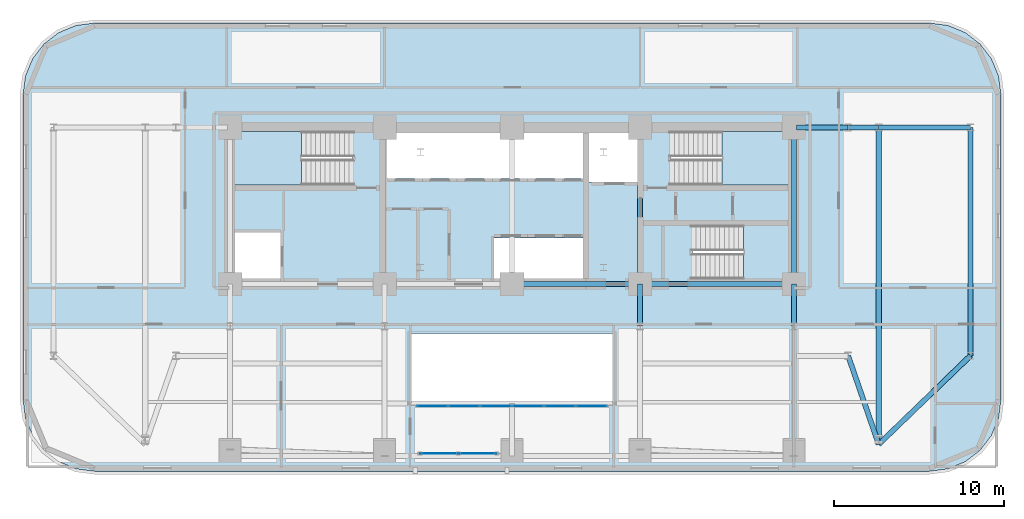
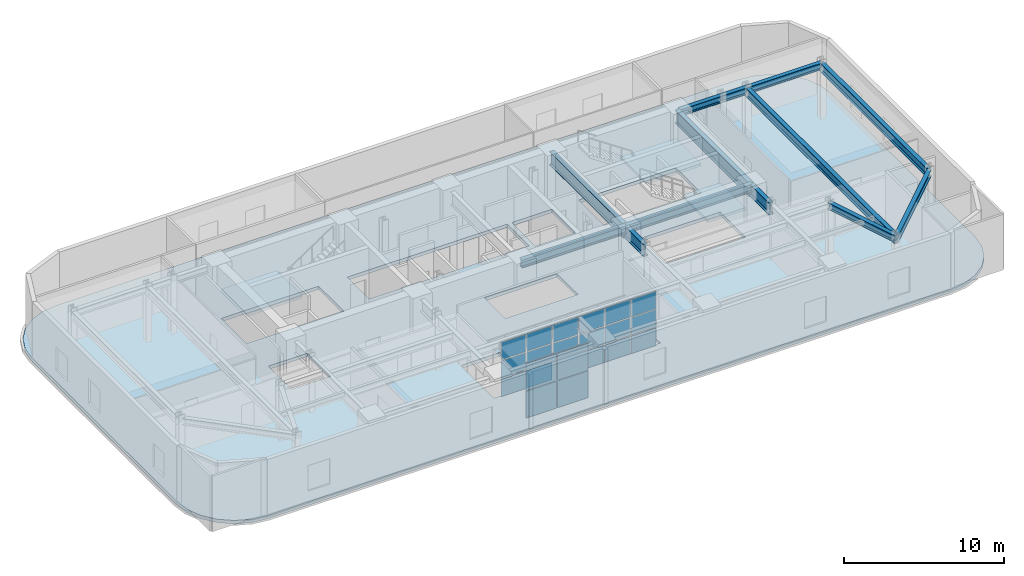
# One storey, part 6 of 14: 22 plates, 13 beams, 4 slabs, 5 elements without a shape of their own.
"""IFC4 building model written with IfcOpenShell, lengths in metres."""

from ifc_helpers import new_model, si_unit, direction, frame, origin, origin_2d, place, context, subcontext, project, spatial, polyline, rectangle, i_section, outline, extrude, material, layer, layer_set, material_profile, profile_set, type_object, element, aggregate, save


model = new_model("IFC4")

# Units and contexts
model_context = context("Model", 3, precision=1e-05, world=origin(), true_north=direction((0.0, 1.0)))
body_context = subcontext(model_context, "Body", "Model", "MODEL_VIEW")
ifc_project = project(units=[si_unit("LENGTHUNIT", "METRE"), si_unit("AREAUNIT", "SQUARE_METRE"), si_unit("VOLUMEUNIT", "CUBIC_METRE"), si_unit("PLANEANGLEUNIT", "RADIAN"), si_unit("MASSUNIT", "GRAM", prefix="KILO")], contexts=[model_context])

# Site, building, storey
site_placement = place(None, origin())
site = spatial("IfcSite", under=ifc_project, at=site_placement, CompositionType="ELEMENT")
building_placement = place(site_placement, origin())
building = spatial("IfcBuilding", under=site, at=building_placement, Name="Zarnavel Station Tower", CompositionType="ELEMENT")
storey_placement = place(building_placement, frame((0.0, 0.0, 89.800048828125)))
storey = spatial("IfcBuildingStorey", under=building, at=storey_placement, Name="L24", CompositionType="ELEMENT", Elevation=89.800048828125)

# Beams
ifc_material_1 = material(Name="Steel S355J2", Category="steel")
ifc_material_profile_1 = material_profile(ifc_material_1, i_section(OverallWidth=0.300048828125, OverallDepth=0.5, WebThickness=0.014404296875, FlangeThickness=0.028076171875, FilletRadius=0.027099609375, at=origin_2d()), Name="HEB500")
ifc_profile_set_1 = profile_set([ifc_material_profile_1], Name="Steel S355J2")
beam_type_1 = type_object("IfcBeamType", Name="FG_HEB500", PredefinedType="USERDEFINED", material=ifc_profile_set_1)
beam_1_placement = place(storey_placement, frame((45.544921875, 37.050048828125, 3.989990234375), z_axis=(1.0, 0.0, 0.0), x_axis=(0.0, 1.0, 0.0)))
element("IfcBeam", 1, at=beam_1_placement, inside=storey, type_object=beam_type_1, Name="L24 East Wing North Tie 1", ObjectType="GIRDER", PredefinedType="USERDEFINED", context=body_context, shape_type="SweptSolid", body=[
    extrude(i_section(OverallWidth=0.300048828125, OverallDepth=0.5, WebThickness=0.014404296875, FlangeThickness=0.028076171875, FilletRadius=0.027099609375, at=origin_2d()), origin(), (0.0, 0.0, 1.0), 3.05517578125),
])
beam_2_placement = place(storey_placement, frame((48.60009765625, 23.60009765625, 3.989990234375), z_axis=(0.326356295685, -0.945246829282, 0.0), x_axis=(0.945246829282, 0.326356295685, 0.0)))
element("IfcBeam", 2, at=beam_2_placement, inside=storey, type_object=beam_type_1, Name="L24 East Wing South Tie 2", ObjectType="GIRDER", PredefinedType="USERDEFINED", context=body_context, shape_type="SweptSolid", body=[
    extrude(i_section(OverallWidth=0.300048828125, OverallDepth=0.5, WebThickness=0.014404296875, FlangeThickness=0.028076171875, FilletRadius=0.027099609375, at=origin_2d()), origin(), (0.0, 0.0, 1.0), 5.514892578125),
])
beam_3_placement = place(storey_placement, frame((48.60009765625, 37.050048828125, 3.989990234375), z_axis=(1.0, 0.0, 0.0), x_axis=(0.0, 1.0, 0.0)))
element("IfcBeam", 3, at=beam_3_placement, inside=storey, type_object=beam_type_1, Name="L24 East Wing North Tie 2", ObjectType="GIRDER", PredefinedType="USERDEFINED", context=body_context, shape_type="SweptSolid", body=[
    extrude(i_section(OverallWidth=0.300048828125, OverallDepth=0.5, WebThickness=0.014404296875, FlangeThickness=0.028076171875, FilletRadius=0.027099609375, at=origin_2d()), origin(), (0.0, 0.0, 1.0), 1.7998046875),
])
beam_4_placement = place(storey_placement, frame((50.39990234375, 18.38720703125, 3.989990234375), z_axis=(0.719470955308, 0.694522529849, 0.0), x_axis=(-0.694522529849, 0.719470955308, 0.0)))
element("IfcBeam", 4, at=beam_4_placement, inside=storey, type_object=beam_type_1, Name="L24 East Wing South Tie 3", ObjectType="GIRDER", PredefinedType="USERDEFINED", context=body_context, shape_type="SweptSolid", body=[
    extrude(i_section(OverallWidth=0.300048828125, OverallDepth=0.5, WebThickness=0.014404296875, FlangeThickness=0.028076171875, FilletRadius=0.027099609375, at=origin_2d()), origin(), (0.0, 0.0, 1.0), 7.505615234375),
])
beam_5_placement = place(storey_placement, frame((50.39990234375, 37.050048828125, 3.989990234375), z_axis=(1.0, 0.0, 0.0), x_axis=(0.0, 1.0, 0.0)))
element("IfcBeam", 5, at=beam_5_placement, inside=storey, type_object=beam_type_1, Name="L24 East Wing North Tie 3", ObjectType="GIRDER", PredefinedType="USERDEFINED", context=body_context, shape_type="SweptSolid", body=[
    extrude(i_section(OverallWidth=0.300048828125, OverallDepth=0.5, WebThickness=0.014404296875, FlangeThickness=0.028076171875, FilletRadius=0.027099609375, at=origin_2d()), origin(), (0.0, 0.0, 1.0), 5.400146484375),
])
ifc_material_2 = material(Name="Steel S355J2", Category="steel")
ifc_material_profile_2 = material_profile(ifc_material_2, i_section(OverallWidth=0.300048828125, OverallDepth=0.60009765625, WebThickness=0.015380859375, FlangeThickness=0.030029296875, FilletRadius=0.027099609375, at=origin_2d()), Name="HEB600")
ifc_profile_set_2 = profile_set([ifc_material_profile_2], Name="Steel S355J2")
beam_type_2 = type_object("IfcBeamType", Name="FG_HEB600", PredefinedType="USERDEFINED", material=ifc_profile_set_2)
beam_6_placement = place(storey_placement, frame((28.800048828125, 27.820068359375, 3.93994140625), z_axis=(1.0, 0.0, 0.0), x_axis=(0.0, 1.0, 0.0)))
element("IfcBeam", 6, at=beam_6_placement, inside=storey, type_object=beam_type_2, Name="L24 Core Front Coupling Beam 3", ObjectType="GIRDER", PredefinedType="USERDEFINED", context=body_context, shape_type="SweptSolid", body=[
    extrude(i_section(OverallWidth=0.300048828125, OverallDepth=0.60009765625, WebThickness=0.015380859375, FlangeThickness=0.030029296875, FilletRadius=0.027099609375, at=origin_2d()), origin(), (0.0, 0.0, 1.0), 7.550048828125),
])
beam_7_placement = place(storey_placement, frame((36.35009765625, 27.820068359375, 3.93994140625), z_axis=(1.0, 0.0, 0.0), x_axis=(0.0, 1.0, 0.0)))
element("IfcBeam", 7, at=beam_7_placement, inside=storey, type_object=beam_type_2, Name="L24 Core Front Coupling Beam 4", ObjectType="GIRDER", PredefinedType="USERDEFINED", context=body_context, shape_type="SweptSolid", body=[
    extrude(i_section(OverallWidth=0.300048828125, OverallDepth=0.60009765625, WebThickness=0.015380859375, FlangeThickness=0.030029296875, FilletRadius=0.027099609375, at=origin_2d()), origin(), (0.0, 0.0, 1.0), 9.0498046875),
])
ifc_material_3 = material(Name="Steel S355J2", Category="steel")
ifc_material_profile_3 = material_profile(ifc_material_3, i_section(OverallWidth=0.300048828125, OverallDepth=0.64990234375, WebThickness=0.01611328125, FlangeThickness=0.031005859375, FilletRadius=0.027099609375, at=origin_2d()), Name="HEB650")
ifc_profile_set_3 = profile_set([ifc_material_profile_3], Name="Steel S355J2")
beam_type_3 = type_object("IfcBeamType", Name="FG_HEB650", PredefinedType="USERDEFINED", material=ifc_profile_set_3)
beam_8_placement = place(storey_placement, frame((50.39990234375, 18.38720703125, 3.9150390625), z_axis=(0.0, 1.0, 0.0), x_axis=(-1.0, 0.0, 0.0)))
element("IfcBeam", 8, at=beam_8_placement, inside=storey, type_object=beam_type_3, Name="L24 Wing NS Girder 3", ObjectType="GIRDER", PredefinedType="USERDEFINED", context=body_context, shape_type="SweptSolid", body=[
    extrude(i_section(OverallWidth=0.300048828125, OverallDepth=0.64990234375, WebThickness=0.01611328125, FlangeThickness=0.031005859375, FilletRadius=0.027099609375, at=origin_2d()), origin(), (0.0, 0.0, 1.0), 18.662841796875),
])
beam_9_placement = place(storey_placement, frame((55.800048828125, 23.60009765625, 3.9150390625), z_axis=(0.0, 1.0, 0.0), x_axis=(-1.0, 0.0, 0.0)))
element("IfcBeam", 9, at=beam_9_placement, inside=storey, type_object=beam_type_3, Name="L24 Wing NS Girder 4", ObjectType="GIRDER", PredefinedType="USERDEFINED", context=body_context, shape_type="SweptSolid", body=[
    extrude(i_section(OverallWidth=0.300048828125, OverallDepth=0.64990234375, WebThickness=0.01611328125, FlangeThickness=0.031005859375, FilletRadius=0.027099609375, at=origin_2d()), origin(), (0.0, 0.0, 1.0), 13.449951171875),
])
ifc_material_4 = material(Name="Steel S460M", Category="steel")
ifc_material_profile_4 = material_profile(ifc_material_4, i_section(OverallWidth=0.302001953125, OverallDepth=1.008056640625, WebThickness=0.02099609375, FlangeThickness=0.0400390625, FilletRadius=0.030029296875, at=origin_2d()), Name="HEM1000")
ifc_profile_set_4 = profile_set([ifc_material_profile_4], Name="Steel S460M")
beam_type_4 = type_object("IfcBeamType", Name="TG_HEM1000", PredefinedType="USERDEFINED", material=ifc_profile_set_4)
for number, where, z_axis, x_axis, name in (
    (10, (36.35009765625, 27.820068359375, 3.73583984375), (0.0, 1.0, 0.0), (-1.0, 0.0, 0.0), "L24 Core Spine Coupling Girder 4"),
    (11, (45.39990234375, 27.820068359375, 3.73583984375), (0.0, 1.0, 0.0), (-1.0, 0.0, 0.0), "L24 Core Spine Coupling Girder 5"),
):
    element("IfcBeam", number, at=place(storey_placement, frame(where, z_axis=z_axis, x_axis=x_axis)), inside=storey, type_object=beam_type_4, Name=name, ObjectType="GIRDER", PredefinedType="USERDEFINED", context=body_context, shape_type="SweptSolid", body=[
        extrude(i_section(OverallWidth=0.302001953125, OverallDepth=1.008056640625, WebThickness=0.02099609375, FlangeThickness=0.0400390625, FilletRadius=0.030029296875, at=origin_2d()), origin(), (0.0, 0.0, 1.0), 9.22998046875),
    ])
ifc_material_5 = material(Name="Steel S460M", Category="steel")
ifc_material_profile_5 = material_profile(ifc_material_5, i_section(OverallWidth=0.302001953125, OverallDepth=0.909912109375, WebThickness=0.02099609375, FlangeThickness=0.0400390625, FilletRadius=0.030029296875, at=origin_2d()), Name="HEM900")
ifc_profile_set_5 = profile_set([ifc_material_profile_5], Name="Steel S460M")
beam_type_5 = type_object("IfcBeamType", Name="TG_HEM900", PredefinedType="USERDEFINED", material=ifc_profile_set_5)
for number, where, z_axis, x_axis, name in (
    (12, (36.35009765625, 25.35009765625, 3.784912109375), (0.0, 1.0, 0.0), (-1.0, 0.0, 0.0), "L24 Inner-Zone NS Girder 4"),
    (13, (45.39990234375, 25.35009765625, 3.784912109375), (0.0, 1.0, 0.0), (-1.0, 0.0, 0.0), "L24 Inner-Zone NS Girder 5"),
):
    element("IfcBeam", number, at=place(storey_placement, frame(where, z_axis=z_axis, x_axis=x_axis)), inside=storey, type_object=beam_type_5, Name=name, ObjectType="GIRDER", PredefinedType="USERDEFINED", context=body_context, shape_type="SweptSolid", body=[
        extrude(i_section(OverallWidth=0.302001953125, OverallDepth=0.909912109375, WebThickness=0.02099609375, FlangeThickness=0.0400390625, FilletRadius=0.030029296875, at=origin_2d()), origin(), (0.0, 0.0, 1.0), 2.469970703125),
    ])

# Curtain wall, plates
ifc_material_6 = material(Name="Aluminium Dark Anodised and Solar-Control Glass", Category="aluminium")
ifc_layer_1 = layer(ifc_material_6, 0.179931640625)
ifc_layer_set_1 = layer_set([ifc_layer_1], Name="CWS3")
curtain_wall_type_1 = type_object("IfcCurtainWallType", Name="CWS3", PredefinedType="NOTDEFINED", material=ifc_layer_set_1)
curtain_wall_1_placement = place(storey_placement, origin())
curtain_wall_1 = element("IfcCurtainWall", 14, at=curtain_wall_1_placement, inside=storey, type_object=curtain_wall_type_1, Name="L24 Curtain Wall CWS3-L24-AS", PredefinedType="NOTDEFINED")
ifc_material_7 = material(Name="Double Low-E Dark Solar-Control Glass", Category="glass")
ifc_layer_2 = layer(ifc_material_7, 0.030029296875)
ifc_layer_set_2 = layer_set([ifc_layer_2], Name="CWS3_PNL")
plate_type_1 = type_object("IfcPlateType", Name="CWS3_PNL", PredefinedType="CURTAIN_PANEL", material=ifc_layer_set_2)
plate_1_placement = place(storey_placement, frame((24.106689453125, 20.64990234375, 0.06005859375), z_axis=(0.0, 0.0, 1.0), x_axis=(1.0, 0.0, 0.0)))
plate_1 = element("IfcPlate", 15, at=plate_1_placement, type_object=plate_type_1, Name="CW3 panel 1.1", PredefinedType="CURTAIN_PANEL", context=body_context, shape_type="SweptSolid", body=[
    extrude(rectangle(XDim=1.793212890625, YDim=0.028076171875, at=origin_2d()), origin(), (0.0, 0.0, 1.0), 1.3232421875),
])
plate_2_placement = place(storey_placement, frame((24.106689453125, 20.64990234375, 1.443115234375), z_axis=(0.0, 0.0, 1.0), x_axis=(1.0, 0.0, 0.0)))
plate_2 = element("IfcPlate", 16, at=plate_2_placement, type_object=plate_type_1, Name="CW3 panel 1.2", PredefinedType="CURTAIN_PANEL", context=body_context, shape_type="SweptSolid", body=[
    extrude(rectangle(XDim=1.793212890625, YDim=0.028076171875, at=origin_2d()), origin(), (0.0, 0.0, 1.0), 1.353515625),
])
plate_3_placement = place(storey_placement, frame((24.106689453125, 20.64990234375, 2.856689453125), z_axis=(0.0, 0.0, 1.0), x_axis=(1.0, 0.0, 0.0)))
plate_3 = element("IfcPlate", 17, at=plate_3_placement, type_object=plate_type_1, Name="CW3 panel 1.3", PredefinedType="CURTAIN_PANEL", context=body_context, shape_type="SweptSolid", body=[
    extrude(rectangle(XDim=1.793212890625, YDim=0.028076171875, at=origin_2d()), origin(), (0.0, 0.0, 1.0), 1.3232421875),
])
plate_4_placement = place(storey_placement, frame((25.97509765625, 20.64990234375, 0.06005859375), z_axis=(0.0, 0.0, 1.0), x_axis=(1.0, 0.0, 0.0)))
plate_4 = element("IfcPlate", 18, at=plate_4_placement, type_object=plate_type_1, Name="CW3 panel 2.1", PredefinedType="CURTAIN_PANEL", context=body_context, shape_type="SweptSolid", body=[
    extrude(rectangle(XDim=1.8232421875, YDim=0.028076171875, at=origin_2d()), origin(), (0.0, 0.0, 1.0), 1.3232421875),
])
plate_5_placement = place(storey_placement, frame((25.97509765625, 20.64990234375, 1.443115234375), z_axis=(0.0, 0.0, 1.0), x_axis=(1.0, 0.0, 0.0)))
plate_5 = element("IfcPlate", 19, at=plate_5_placement, type_object=plate_type_1, Name="CW3 panel 2.2", PredefinedType="CURTAIN_PANEL", context=body_context, shape_type="SweptSolid", body=[
    extrude(rectangle(XDim=1.8232421875, YDim=0.028076171875, at=origin_2d()), origin(), (0.0, 0.0, 1.0), 1.353515625),
])
plate_6_placement = place(storey_placement, frame((25.97509765625, 20.64990234375, 2.856689453125), z_axis=(0.0, 0.0, 1.0), x_axis=(1.0, 0.0, 0.0)))
plate_6 = element("IfcPlate", 20, at=plate_6_placement, type_object=plate_type_1, Name="CW3 panel 2.3", PredefinedType="CURTAIN_PANEL", context=body_context, shape_type="SweptSolid", body=[
    extrude(rectangle(XDim=1.8232421875, YDim=0.028076171875, at=origin_2d()), origin(), (0.0, 0.0, 1.0), 1.3232421875),
])
plate_7_placement = place(storey_placement, frame((27.8583984375, 20.64990234375, 0.06005859375), z_axis=(0.0, 0.0, 1.0), x_axis=(1.0, 0.0, 0.0)))
plate_7 = element("IfcPlate", 21, at=plate_7_placement, type_object=plate_type_1, Name="CW3 panel 3.1", PredefinedType="CURTAIN_PANEL", context=body_context, shape_type="SweptSolid", body=[
    extrude(rectangle(XDim=1.8232421875, YDim=0.028076171875, at=origin_2d()), origin(), (0.0, 0.0, 1.0), 1.3232421875),
])
plate_8_placement = place(storey_placement, frame((27.8583984375, 20.64990234375, 1.443115234375), z_axis=(0.0, 0.0, 1.0), x_axis=(1.0, 0.0, 0.0)))
plate_8 = element("IfcPlate", 22, at=plate_8_placement, type_object=plate_type_1, Name="CW3 panel 3.2", PredefinedType="CURTAIN_PANEL", context=body_context, shape_type="SweptSolid", body=[
    extrude(rectangle(XDim=1.8232421875, YDim=0.028076171875, at=origin_2d()), origin(), (0.0, 0.0, 1.0), 1.353515625),
])
plate_9_placement = place(storey_placement, frame((27.8583984375, 20.64990234375, 2.856689453125), z_axis=(0.0, 0.0, 1.0), x_axis=(1.0, 0.0, 0.0)))
plate_9 = element("IfcPlate", 23, at=plate_9_placement, type_object=plate_type_1, Name="CW3 panel 3.3", PredefinedType="CURTAIN_PANEL", context=body_context, shape_type="SweptSolid", body=[
    extrude(rectangle(XDim=1.8232421875, YDim=0.028076171875, at=origin_2d()), origin(), (0.0, 0.0, 1.0), 1.3232421875),
])
plate_10_placement = place(storey_placement, frame((29.74169921875, 20.64990234375, 0.06005859375), z_axis=(0.0, 0.0, 1.0), x_axis=(1.0, 0.0, 0.0)))
plate_10 = element("IfcPlate", 24, at=plate_10_placement, type_object=plate_type_1, Name="CW3 panel 4.1", PredefinedType="CURTAIN_PANEL", context=body_context, shape_type="SweptSolid", body=[
    extrude(rectangle(XDim=1.8232421875, YDim=0.028076171875, at=origin_2d()), origin(), (0.0, 0.0, 1.0), 1.3232421875),
])
plate_11_placement = place(storey_placement, frame((29.74169921875, 20.64990234375, 1.443115234375), z_axis=(0.0, 0.0, 1.0), x_axis=(1.0, 0.0, 0.0)))
plate_11 = element("IfcPlate", 25, at=plate_11_placement, type_object=plate_type_1, Name="CW3 panel 4.2", PredefinedType="CURTAIN_PANEL", context=body_context, shape_type="SweptSolid", body=[
    extrude(rectangle(XDim=1.8232421875, YDim=0.028076171875, at=origin_2d()), origin(), (0.0, 0.0, 1.0), 1.353515625),
])
plate_12_placement = place(storey_placement, frame((29.74169921875, 20.64990234375, 2.856689453125), z_axis=(0.0, 0.0, 1.0), x_axis=(1.0, 0.0, 0.0)))
plate_12 = element("IfcPlate", 26, at=plate_12_placement, type_object=plate_type_1, Name="CW3 panel 4.3", PredefinedType="CURTAIN_PANEL", context=body_context, shape_type="SweptSolid", body=[
    extrude(rectangle(XDim=1.8232421875, YDim=0.028076171875, at=origin_2d()), origin(), (0.0, 0.0, 1.0), 1.3232421875),
])
plate_13_placement = place(storey_placement, frame((31.625, 20.64990234375, 0.06005859375), z_axis=(0.0, 0.0, 1.0), x_axis=(1.0, 0.0, 0.0)))
plate_13 = element("IfcPlate", 27, at=plate_13_placement, type_object=plate_type_1, Name="CW3 panel 5.1", PredefinedType="CURTAIN_PANEL", context=body_context, shape_type="SweptSolid", body=[
    extrude(rectangle(XDim=1.8232421875, YDim=0.028076171875, at=origin_2d()), origin(), (0.0, 0.0, 1.0), 1.3232421875),
])
plate_14_placement = place(storey_placement, frame((31.625, 20.64990234375, 1.443115234375), z_axis=(0.0, 0.0, 1.0), x_axis=(1.0, 0.0, 0.0)))
plate_14 = element("IfcPlate", 28, at=plate_14_placement, type_object=plate_type_1, Name="CW3 panel 5.2", PredefinedType="CURTAIN_PANEL", context=body_context, shape_type="SweptSolid", body=[
    extrude(rectangle(XDim=1.8232421875, YDim=0.028076171875, at=origin_2d()), origin(), (0.0, 0.0, 1.0), 1.353515625),
])
plate_15_placement = place(storey_placement, frame((31.625, 20.64990234375, 2.856689453125), z_axis=(0.0, 0.0, 1.0), x_axis=(1.0, 0.0, 0.0)))
plate_15 = element("IfcPlate", 29, at=plate_15_placement, type_object=plate_type_1, Name="CW3 panel 5.3", PredefinedType="CURTAIN_PANEL", context=body_context, shape_type="SweptSolid", body=[
    extrude(rectangle(XDim=1.8232421875, YDim=0.028076171875, at=origin_2d()), origin(), (0.0, 0.0, 1.0), 1.3232421875),
])
plate_16_placement = place(storey_placement, frame((33.493408203125, 20.64990234375, 0.06005859375), z_axis=(0.0, 0.0, 1.0), x_axis=(1.0, 0.0, 0.0)))
plate_16 = element("IfcPlate", 30, at=plate_16_placement, type_object=plate_type_1, Name="CW3 panel 6.1", PredefinedType="CURTAIN_PANEL", context=body_context, shape_type="SweptSolid", body=[
    extrude(rectangle(XDim=1.793212890625, YDim=0.028076171875, at=origin_2d()), origin(), (0.0, 0.0, 1.0), 1.3232421875),
])
plate_17_placement = place(storey_placement, frame((33.493408203125, 20.64990234375, 1.443115234375), z_axis=(0.0, 0.0, 1.0), x_axis=(1.0, 0.0, 0.0)))
plate_17 = element("IfcPlate", 31, at=plate_17_placement, type_object=plate_type_1, Name="CW3 panel 6.2", PredefinedType="CURTAIN_PANEL", context=body_context, shape_type="SweptSolid", body=[
    extrude(rectangle(XDim=1.793212890625, YDim=0.028076171875, at=origin_2d()), origin(), (0.0, 0.0, 1.0), 1.353515625),
])
plate_18_placement = place(storey_placement, frame((33.493408203125, 20.64990234375, 2.856689453125), z_axis=(0.0, 0.0, 1.0), x_axis=(1.0, 0.0, 0.0)))
plate_18 = element("IfcPlate", 32, at=plate_18_placement, type_object=plate_type_1, Name="CW3 panel 6.3", PredefinedType="CURTAIN_PANEL", context=body_context, shape_type="SweptSolid", body=[
    extrude(rectangle(XDim=1.793212890625, YDim=0.028076171875, at=origin_2d()), origin(), (0.0, 0.0, 1.0), 1.3232421875),
])
aggregate(curtain_wall_1, [plate_1, plate_2, plate_3, plate_4, plate_5, plate_6, plate_7, plate_8, plate_9, plate_10, plate_11, plate_12, plate_13, plate_14, plate_15, plate_16, plate_17, plate_18])

ifc_material_8 = material(Name="Aluminium Dark Anodised and Solar-Control Glass", Category="aluminium")
ifc_layer_3 = layer(ifc_material_8, 0.179931640625)
ifc_layer_set_3 = layer_set([ifc_layer_3], Name="CWS6")
curtain_wall_type_2 = type_object("IfcCurtainWallType", Name="CWS6", PredefinedType="NOTDEFINED", material=ifc_layer_set_3)
curtain_wall_2_placement = place(storey_placement, origin())
curtain_wall_2 = element("IfcCurtainWall", 33, at=curtain_wall_2_placement, inside=storey, type_object=curtain_wall_type_2, Name="L24 Curtain Wall CWS6-LOG-L24", PredefinedType="NOTDEFINED")
ifc_material_9 = material(Name="Double Low-E Dark Solar-Control Glass", Category="glass")
ifc_layer_4 = layer(ifc_material_9, 0.0380859375)
ifc_layer_set_4 = layer_set([ifc_layer_4], Name="CWS6_PNL")
plate_type_2 = type_object("IfcPlateType", Name="CWS6_PNL", PredefinedType="CURTAIN_PANEL", material=ifc_layer_set_4)
plate_19_placement = place(storey_placement, frame((24.510498046875, 17.85009765625, 0.06005859375), z_axis=(0.0, 0.0, 1.0), x_axis=(1.0, 0.0, 0.0)))
plate_19 = element("IfcPlate", 34, at=plate_19_placement, type_object=plate_type_2, Name="CW6 panel 1.1", PredefinedType="CURTAIN_PANEL", context=body_context, shape_type="SweptSolid", body=[
    extrude(rectangle(XDim=2.200927734375, YDim=0.028076171875, at=origin_2d()), origin(), (0.0, 0.0, 1.0), 2.030029296875),
])
plate_20_placement = place(storey_placement, frame((24.510498046875, 17.85009765625, 2.14990234375), z_axis=(0.0, 0.0, 1.0), x_axis=(1.0, 0.0, 0.0)))
plate_20 = element("IfcPlate", 35, at=plate_20_placement, type_object=plate_type_2, Name="CW6 panel 1.2", PredefinedType="CURTAIN_PANEL", context=body_context, shape_type="SweptSolid", body=[
    extrude(rectangle(XDim=2.200927734375, YDim=0.028076171875, at=origin_2d()), origin(), (0.0, 0.0, 1.0), 2.030029296875),
])
plate_21_placement = place(storey_placement, frame((26.771484375, 17.85009765625, 0.06005859375), z_axis=(0.0, 0.0, 1.0), x_axis=(1.0, 0.0, 0.0)))
plate_21 = element("IfcPlate", 36, at=plate_21_placement, type_object=plate_type_2, Name="CW6 panel 2.1", PredefinedType="CURTAIN_PANEL", context=body_context, shape_type="SweptSolid", body=[
    extrude(rectangle(XDim=2.200927734375, YDim=0.028076171875, at=origin_2d()), origin(), (0.0, 0.0, 1.0), 2.030029296875),
])
plate_22_placement = place(storey_placement, frame((26.771484375, 17.85009765625, 2.14990234375), z_axis=(0.0, 0.0, 1.0), x_axis=(1.0, 0.0, 0.0)))
plate_22 = element("IfcPlate", 37, at=plate_22_placement, type_object=plate_type_2, Name="CW6 panel 2.2", PredefinedType="CURTAIN_PANEL", context=body_context, shape_type="SweptSolid", body=[
    extrude(rectangle(XDim=2.200927734375, YDim=0.028076171875, at=origin_2d()), origin(), (0.0, 0.0, 1.0), 2.030029296875),
])
aggregate(curtain_wall_2, [plate_19, plate_20, plate_21, plate_22])

# Slab
ifc_material_10 = material(Name="Concrete C45/55", Category="concrete")
ifc_layer_5 = layer(ifc_material_10, 0.260009765625)
ifc_layer_set_5 = layer_set([ifc_layer_5], Name="SL_FLR_260")
slab_type_1 = type_object("IfcSlabType", Name="SL_FLR_260", PredefinedType="FLOOR", material=ifc_layer_set_5)
slab_1_placement = place(storey_placement, frame((0.0, 0.0, -0.260009765625)))
element("IfcSlab", 38, at=slab_1_placement, inside=storey, type_object=slab_type_1, Name="L24 Structural Floor Slab", PredefinedType="FLOOR", context=body_context, shape_type="SweptSolid", body=[
    extrude(outline(polyline([(53.39990234375, 16.800048828125), (54.487060546875, 16.943115234375), (55.5, 17.36279296875), (56.369873046875, 18.0302734375), (57.037353515625, 18.89990234375), (57.456787109375, 19.9130859375), (57.60009765625, 21.0), (57.60009765625, 39.0), (57.456787109375, 40.0869140625), (57.037353515625, 41.10009765625), (56.369873046875, 41.9697265625), (55.5, 42.63720703125), (54.487060546875, 43.056884765625), (53.39990234375, 43.199951171875), (4.199951171875, 43.199951171875), (3.113037109375, 43.056884765625), (2.10009765625, 42.63720703125), (1.230224609375, 41.9697265625), (0.562744140625, 41.10009765625), (0.14306640625, 40.0869140625), (0.0, 39.0), (0.0, 21.0), (0.14306640625, 19.9130859375), (0.562744140625, 18.89990234375), (1.230224609375, 18.0302734375), (2.10009765625, 17.36279296875), (3.113037109375, 16.943115234375), (4.199951171875, 16.800048828125), (53.39990234375, 16.800048828125)]), holes=[polyline([(12.39990234375, 33.659912109375), (19.409912109375, 33.659912109375), (19.409912109375, 36.820068359375), (12.39990234375, 36.820068359375), (12.39990234375, 33.659912109375)]), polyline([(38.14990234375, 33.659912109375), (45.159912109375, 33.659912109375), (45.159912109375, 36.820068359375), (38.14990234375, 36.820068359375), (38.14990234375, 33.659912109375)]), polyline([(39.419921875, 28.1201171875), (45.14990234375, 28.1201171875), (45.14990234375, 31.280029296875), (39.419921875, 31.280029296875), (39.419921875, 28.1201171875)]), polyline([(12.35009765625, 27.949951171875), (15.14990234375, 27.949951171875), (15.14990234375, 30.85009765625), (12.35009765625, 30.85009765625), (12.35009765625, 27.949951171875)]), polyline([(33.320068359375, 33.85009765625), (36.2099609375, 33.85009765625), (36.2099609375, 36.780029296875), (33.320068359375, 36.780029296875), (33.320068359375, 33.85009765625)]), polyline([(21.449951171875, 34.050048828125), (32.97998046875, 34.050048828125), (32.97998046875, 36.780029296875), (21.449951171875, 36.780029296875), (21.449951171875, 34.050048828125)]), polyline([(27.75, 27.949951171875), (32.97998046875, 27.949951171875), (32.97998046875, 30.550048828125), (27.75, 30.550048828125), (27.75, 27.949951171875)]), polyline([(22.800048828125, 20.800048828125), (34.800048828125, 20.800048828125), (34.800048828125, 24.89990234375), (22.800048828125, 24.89990234375), (22.800048828125, 20.800048828125)])]), origin(), (0.0, 0.0, 1.0), 0.260009765625),
])

# Stair, slab
ifc_material_11 = material(Name="Concrete C45/55", Category="concrete")
stair_type = type_object("IfcStairType", Name="ST_CORE_150", PredefinedType="HALF_TURN_STAIR", material=ifc_material_11)
stair_1_placement = place(storey_placement, origin())
stair_1 = element("IfcStair", 39, at=stair_1_placement, inside=storey, type_object=stair_type, Name="L24 Core Exit Stair ST1", PredefinedType="HALF_TURN_STAIR")
ifc_material_12 = material(Name="Concrete C45/55", Category="concrete")
ifc_layer_6 = layer(ifc_material_12, 0.199951171875)
ifc_layer_set_6 = layer_set([ifc_layer_6], Name="SL_STAIR_LAND_200")
slab_type_2 = type_object("IfcSlabType", Name="SL_STAIR_LAND_200", PredefinedType="LANDING", material=ifc_layer_set_6)
slab_2_placement = place(storey_placement, frame((0.0, 0.0, 2.050048828125)))
slab_2 = element("IfcSlab", 40, at=slab_2_placement, type_object=slab_type_2, Name="ST1 landing 1", PredefinedType="LANDING", context=body_context, shape_type="SweptSolid", body=[
    extrude(outline(polyline([(16.39990234375, 36.820068359375), (12.39990234375, 36.820068359375), (12.39990234375, 33.659912109375), (16.39990234375, 33.659912109375), (16.39990234375, 36.820068359375)])), origin(), (0.0, 0.0, 1.0), 0.199951171875),
])
aggregate(stair_1, [slab_2])

stair_2_placement = place(storey_placement, origin())
stair_2 = element("IfcStair", 41, at=stair_2_placement, inside=storey, type_object=stair_type, Name="L24 Core Exit Stair ST2", PredefinedType="HALF_TURN_STAIR")
slab_3_placement = place(storey_placement, frame((0.0, 0.0, 2.050048828125)))
slab_3 = element("IfcSlab", 42, at=slab_3_placement, type_object=slab_type_2, Name="ST2 landing 1", PredefinedType="LANDING", context=body_context, shape_type="SweptSolid", body=[
    extrude(outline(polyline([(41.159912109375, 33.659912109375), (45.159912109375, 33.659912109375), (45.159912109375, 36.820068359375), (41.159912109375, 36.820068359375), (41.159912109375, 33.659912109375)])), origin(), (0.0, 0.0, 1.0), 0.199951171875),
])
aggregate(stair_2, [slab_3])

stair_3_placement = place(storey_placement, origin())
stair_3 = element("IfcStair", 43, at=stair_3_placement, inside=storey, type_object=stair_type, Name="L24 Core Exit Stair ST3", PredefinedType="HALF_TURN_STAIR")
slab_4_placement = place(storey_placement, frame((0.0, 0.0, 2.050048828125)))
slab_4 = element("IfcSlab", 44, at=slab_4_placement, type_object=slab_type_2, Name="ST3 landing 1", PredefinedType="LANDING", context=body_context, shape_type="SweptSolid", body=[
    extrude(outline(polyline([(42.429931640625, 28.1201171875), (45.14990234375, 28.1201171875), (45.14990234375, 31.280029296875), (42.429931640625, 31.280029296875), (42.429931640625, 28.1201171875)])), origin(), (0.0, 0.0, 1.0), 0.199951171875),
])
aggregate(stair_3, [slab_4])

save(model, "model.ifc")
